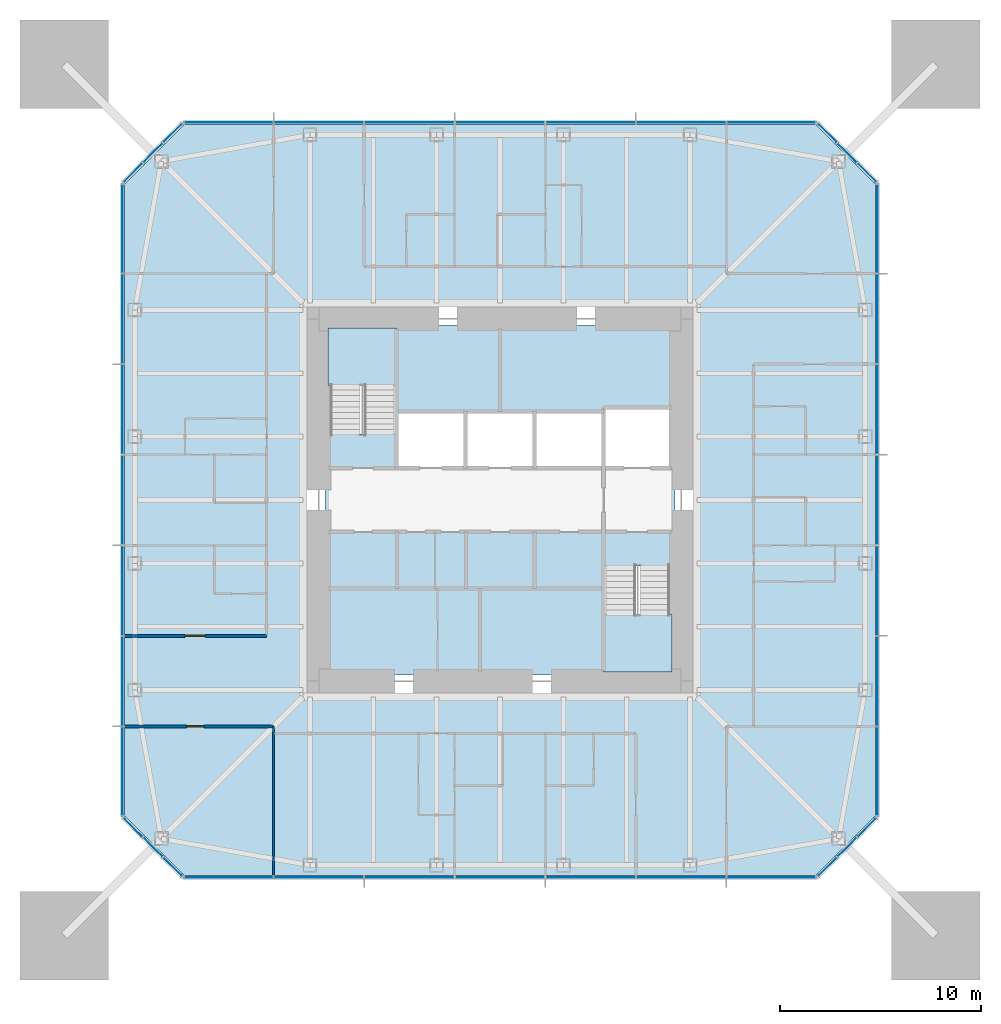
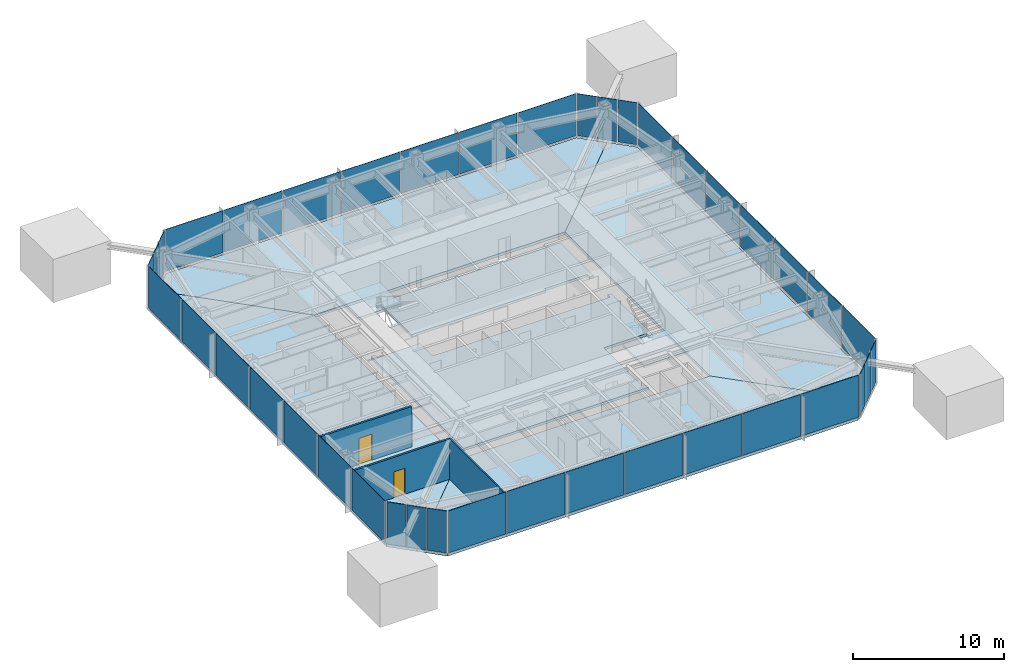
# One storey, part 5 of 11: 40 plates, 8 slabs, 3 walls, 2 doors, 2 openings, 10 elements without a shape of their own.
"""IFC4 building model written with IfcOpenShell, lengths in metres."""

from ifc_helpers import new_model, si_unit, direction, frame, frame_2d, origin, origin_2d, place, context, subcontext, project, spatial, polyline, rectangle, outline, extrude, material, layer, layer_set, constituent, constituent_set, type_object, element, fill, aggregate, save


model = new_model("IFC4")

# Units and contexts
model_context = context("Model", 3, precision=1e-05, world=origin(), true_north=direction((0.0, 1.0)))
body_context = subcontext(model_context, "Body", "Model", "MODEL_VIEW")
ifc_project = project(units=[si_unit("LENGTHUNIT", "METRE"), si_unit("AREAUNIT", "SQUARE_METRE"), si_unit("VOLUMEUNIT", "CUBIC_METRE"), si_unit("PLANEANGLEUNIT", "RADIAN"), si_unit("MASSUNIT", "GRAM", prefix="KILO")], contexts=[model_context])

# Site, building, storey
site_placement = place(None, origin())
site = spatial("IfcSite", under=ifc_project, at=site_placement, CompositionType="ELEMENT")
building_placement = place(site_placement, origin())
building = spatial("IfcBuilding", under=site, at=building_placement, Name="Iwan Alto Co-Living Towers", CompositionType="ELEMENT")
storey_placement = place(building_placement, frame((0.0, 0.0, 163.5)))
storey = spatial("IfcBuildingStorey", under=building, at=storey_placement, Name="L44", CompositionType="ELEMENT", Elevation=163.5)

# Slabs
ifc_material_1 = material(Name="Concrete f'c 30 MPa", Category="concrete")
ifc_layer_1 = layer(ifc_material_1, 0.199951171875)
ifc_layer_set_1 = layer_set([ifc_layer_1], Name="CORE FLOOR SLAB 200")
slab_type_1 = type_object("IfcSlabType", Name="CORE FLOOR SLAB 200", PredefinedType="FLOOR", material=ifc_layer_set_1)
slab_1_placement = place(storey_placement, frame((0.0, 0.0, -0.199951171875)))
element("IfcSlab", 1, at=slab_1_placement, inside=storey, type_object=slab_type_1, Name="T1 core floor L44", PredefinedType="FLOOR", context=body_context, shape_type="SweptSolid", body=[
    extrude(outline(polyline([(5.14990234375, -8.39990234375), (5.4599609375, -8.39990234375), (5.4599609375, -8.699951171875), (-8.699951171875, -8.699951171875), (-8.699951171875, 3.580078125), (-8.39990234375, 3.580078125), (-8.39990234375, 3.27001953125), (-5.14990234375, 3.27001953125), (-5.14990234375, 1.60009765625), (-1.717041015625, 1.60009765625), (1.717041015625, 1.60009765625), (5.14990234375, 1.60009765625), (8.39990234375, 1.60009765625), (8.39990234375, 1.909912109375), (8.699951171875, 1.909912109375), (8.699951171875, -3.580078125), (8.39990234375, -3.580078125), (8.39990234375, -3.27001953125), (5.14990234375, -3.27001953125), (5.14990234375, -8.39990234375)])), origin(), (0.0, 0.0, 1.0), 0.199951171875),
])
slab_2_placement = place(storey_placement, frame((0.0, 0.0, -0.199951171875)))
element("IfcSlab", 2, at=slab_2_placement, inside=storey, type_object=slab_type_1, Name="T1 core floor L44", PredefinedType="FLOOR", context=body_context, shape_type="SweptSolid", body=[
    extrude(outline(polyline([(1.717041015625, 4.39990234375), (-1.717041015625, 4.39990234375), (-5.14990234375, 4.39990234375), (-5.14990234375, 8.39990234375), (-5.4599609375, 8.39990234375), (-5.4599609375, 8.699951171875), (8.699951171875, 8.699951171875), (8.699951171875, 4.2900390625), (8.39990234375, 4.2900390625), (8.39990234375, 4.60009765625), (5.14990234375, 4.60009765625), (5.14990234375, 4.39990234375), (1.717041015625, 4.39990234375)])), origin(), (0.0, 0.0, 1.0), 0.199951171875),
])

# Curtain wall, plates
ifc_material_2 = material(Name="Bronze aluminium unitised frame", Category="aluminium")
curtain_wall_type_1 = type_object("IfcCurtainWallType", Name="CURTAIN WALL CW-A", PredefinedType="NOTDEFINED", material=ifc_material_2)
curtain_wall_1_placement = place(storey_placement, origin())
curtain_wall_1 = element("IfcCurtainWall", 3, at=curtain_wall_1_placement, inside=storey, type_object=curtain_wall_type_1, Name="T1 curtain wall S L44", PredefinedType="NOTDEFINED")
ifc_material_3 = material(Name="Bronze-tinted insulating glass", Category="glass")
ifc_layer_2 = layer(ifc_material_3, 0.031982421875)
ifc_layer_set_2 = layer_set([ifc_layer_2], Name="CW-A PANEL TINTED IGU 32")
plate_type_1 = type_object("IfcPlateType", Name="CW-A PANEL TINTED IGU 32", PredefinedType="CURTAIN_PANEL", material=ifc_layer_set_2)
plate_1_placement = place(storey_placement, frame((-13.47998046875, -18.75, 0.10009765625), z_axis=(0.0, 0.0, 1.0), x_axis=(1.0, 0.0, 0.0)))
plate_1 = element("IfcPlate", 4, at=plate_1_placement, type_object=plate_type_1, Name="CW-A panel 1.1", PredefinedType="CURTAIN_PANEL", context=body_context, shape_type="SweptSolid", body=[
    extrude(rectangle(XDim=4.3798828125, YDim=0.031982421875, at=origin_2d()), origin(), (0.0, 0.0, 1.0), 3.39990234375),
])
plate_2_placement = place(storey_placement, frame((-9.0, -18.75, 0.10009765625), z_axis=(0.0, 0.0, 1.0), x_axis=(1.0, 0.0, 0.0)))
plate_2 = element("IfcPlate", 5, at=plate_2_placement, type_object=plate_type_1, Name="CW-A panel 2.1", PredefinedType="CURTAIN_PANEL", context=body_context, shape_type="SweptSolid", body=[
    extrude(rectangle(XDim=4.419921875, YDim=0.031982421875, at=origin_2d()), origin(), (0.0, 0.0, 1.0), 3.39990234375),
])
plate_3_placement = place(storey_placement, frame((-4.5, -18.75, 0.10009765625), z_axis=(0.0, 0.0, 1.0), x_axis=(1.0, 0.0, 0.0)))
plate_3 = element("IfcPlate", 6, at=plate_3_placement, type_object=plate_type_1, Name="CW-A panel 3.1", PredefinedType="CURTAIN_PANEL", context=body_context, shape_type="SweptSolid", body=[
    extrude(rectangle(XDim=4.419921875, YDim=0.031982421875, at=origin_2d()), origin(), (0.0, 0.0, 1.0), 3.39990234375),
])
plate_4_placement = place(storey_placement, frame((0.0, -18.75, 0.10009765625), z_axis=(0.0, 0.0, 1.0), x_axis=(1.0, 0.0, 0.0)))
plate_4 = element("IfcPlate", 7, at=plate_4_placement, type_object=plate_type_1, Name="CW-A panel 4.1", PredefinedType="CURTAIN_PANEL", context=body_context, shape_type="SweptSolid", body=[
    extrude(rectangle(XDim=4.419921875, YDim=0.031982421875, at=origin_2d()), origin(), (0.0, 0.0, 1.0), 3.39990234375),
])
plate_5_placement = place(storey_placement, frame((4.5, -18.75, 0.10009765625), z_axis=(0.0, 0.0, 1.0), x_axis=(1.0, 0.0, 0.0)))
plate_5 = element("IfcPlate", 8, at=plate_5_placement, type_object=plate_type_1, Name="CW-A panel 5.1", PredefinedType="CURTAIN_PANEL", context=body_context, shape_type="SweptSolid", body=[
    extrude(rectangle(XDim=4.419921875, YDim=0.031982421875, at=origin_2d()), origin(), (0.0, 0.0, 1.0), 3.39990234375),
])
plate_6_placement = place(storey_placement, frame((9.0, -18.75, 0.10009765625), z_axis=(0.0, 0.0, 1.0), x_axis=(1.0, 0.0, 0.0)))
plate_6 = element("IfcPlate", 9, at=plate_6_placement, type_object=plate_type_1, Name="CW-A panel 6.1", PredefinedType="CURTAIN_PANEL", context=body_context, shape_type="SweptSolid", body=[
    extrude(rectangle(XDim=4.419921875, YDim=0.031982421875, at=origin_2d()), origin(), (0.0, 0.0, 1.0), 3.39990234375),
])
plate_7_placement = place(storey_placement, frame((13.47998046875, -18.75, 0.10009765625), z_axis=(0.0, 0.0, 1.0), x_axis=(1.0, 0.0, 0.0)))
plate_7 = element("IfcPlate", 10, at=plate_7_placement, type_object=plate_type_1, Name="CW-A panel 7.1", PredefinedType="CURTAIN_PANEL", context=body_context, shape_type="SweptSolid", body=[
    extrude(rectangle(XDim=4.3798828125, YDim=0.031982421875, at=origin_2d()), origin(), (0.0, 0.0, 1.0), 3.39990234375),
])
aggregate(curtain_wall_1, [plate_1, plate_2, plate_3, plate_4, plate_5, plate_6, plate_7])

curtain_wall_2_placement = place(storey_placement, origin())
curtain_wall_2 = element("IfcCurtainWall", 11, at=curtain_wall_2_placement, inside=storey, type_object=curtain_wall_type_1, Name="T1 curtain wall E L44", PredefinedType="NOTDEFINED")
plate_8_placement = place(storey_placement, frame((18.75, -13.47998046875, 0.10009765625), z_axis=(0.0, 0.0, 1.0), x_axis=(0.0, 1.0, 0.0)))
plate_8 = element("IfcPlate", 12, at=plate_8_placement, type_object=plate_type_1, Name="CW-A panel 1.1", PredefinedType="CURTAIN_PANEL", context=body_context, shape_type="SweptSolid", body=[
    extrude(rectangle(XDim=4.3798828125, YDim=0.031982421875, at=origin_2d()), origin(), (0.0, 0.0, 1.0), 3.39990234375),
])
plate_9_placement = place(storey_placement, frame((18.75, -9.0, 0.10009765625), z_axis=(0.0, 0.0, 1.0), x_axis=(0.0, 1.0, 0.0)))
plate_9 = element("IfcPlate", 13, at=plate_9_placement, type_object=plate_type_1, Name="CW-A panel 2.1", PredefinedType="CURTAIN_PANEL", context=body_context, shape_type="SweptSolid", body=[
    extrude(rectangle(XDim=4.419921875, YDim=0.031982421875, at=origin_2d()), origin(), (0.0, 0.0, 1.0), 3.39990234375),
])
plate_10_placement = place(storey_placement, frame((18.75, -4.5, 0.10009765625), z_axis=(0.0, 0.0, 1.0), x_axis=(0.0, 1.0, 0.0)))
plate_10 = element("IfcPlate", 14, at=plate_10_placement, type_object=plate_type_1, Name="CW-A panel 3.1", PredefinedType="CURTAIN_PANEL", context=body_context, shape_type="SweptSolid", body=[
    extrude(rectangle(XDim=4.419921875, YDim=0.031982421875, at=origin_2d()), origin(), (0.0, 0.0, 1.0), 3.39990234375),
])
plate_11_placement = place(storey_placement, frame((18.75, 0.0, 0.10009765625), z_axis=(0.0, 0.0, 1.0), x_axis=(0.0, 1.0, 0.0)))
plate_11 = element("IfcPlate", 15, at=plate_11_placement, type_object=plate_type_1, Name="CW-A panel 4.1", PredefinedType="CURTAIN_PANEL", context=body_context, shape_type="SweptSolid", body=[
    extrude(rectangle(XDim=4.419921875, YDim=0.031982421875, at=origin_2d()), origin(), (0.0, 0.0, 1.0), 3.39990234375),
])
plate_12_placement = place(storey_placement, frame((18.75, 4.5, 0.10009765625), z_axis=(0.0, 0.0, 1.0), x_axis=(0.0, 1.0, 0.0)))
plate_12 = element("IfcPlate", 16, at=plate_12_placement, type_object=plate_type_1, Name="CW-A panel 5.1", PredefinedType="CURTAIN_PANEL", context=body_context, shape_type="SweptSolid", body=[
    extrude(rectangle(XDim=4.419921875, YDim=0.031982421875, at=origin_2d()), origin(), (0.0, 0.0, 1.0), 3.39990234375),
])
plate_13_placement = place(storey_placement, frame((18.75, 9.0, 0.10009765625), z_axis=(0.0, 0.0, 1.0), x_axis=(0.0, 1.0, 0.0)))
plate_13 = element("IfcPlate", 17, at=plate_13_placement, type_object=plate_type_1, Name="CW-A panel 6.1", PredefinedType="CURTAIN_PANEL", context=body_context, shape_type="SweptSolid", body=[
    extrude(rectangle(XDim=4.419921875, YDim=0.031982421875, at=origin_2d()), origin(), (0.0, 0.0, 1.0), 3.39990234375),
])
plate_14_placement = place(storey_placement, frame((18.75, 13.47998046875, 0.10009765625), z_axis=(0.0, 0.0, 1.0), x_axis=(0.0, 1.0, 0.0)))
plate_14 = element("IfcPlate", 18, at=plate_14_placement, type_object=plate_type_1, Name="CW-A panel 7.1", PredefinedType="CURTAIN_PANEL", context=body_context, shape_type="SweptSolid", body=[
    extrude(rectangle(XDim=4.3798828125, YDim=0.031982421875, at=origin_2d()), origin(), (0.0, 0.0, 1.0), 3.39990234375),
])
aggregate(curtain_wall_2, [plate_8, plate_9, plate_10, plate_11, plate_12, plate_13, plate_14])

curtain_wall_3_placement = place(storey_placement, origin())
curtain_wall_3 = element("IfcCurtainWall", 19, at=curtain_wall_3_placement, inside=storey, type_object=curtain_wall_type_1, Name="T1 curtain wall N L44", PredefinedType="NOTDEFINED")
plate_15_placement = place(storey_placement, frame((13.47998046875, 18.75, 0.10009765625), z_axis=(0.0, 0.0, 1.0), x_axis=(-1.0, 0.0, 0.0)))
plate_15 = element("IfcPlate", 20, at=plate_15_placement, type_object=plate_type_1, Name="CW-A panel 1.1", PredefinedType="CURTAIN_PANEL", context=body_context, shape_type="SweptSolid", body=[
    extrude(rectangle(XDim=4.3798828125, YDim=0.031982421875, at=origin_2d()), origin(), (0.0, 0.0, 1.0), 3.39990234375),
])
plate_16_placement = place(storey_placement, frame((9.0, 18.75, 0.10009765625), z_axis=(0.0, 0.0, 1.0), x_axis=(-1.0, 0.0, 0.0)))
plate_16 = element("IfcPlate", 21, at=plate_16_placement, type_object=plate_type_1, Name="CW-A panel 2.1", PredefinedType="CURTAIN_PANEL", context=body_context, shape_type="SweptSolid", body=[
    extrude(rectangle(XDim=4.419921875, YDim=0.031982421875, at=origin_2d()), origin(), (0.0, 0.0, 1.0), 3.39990234375),
])
plate_17_placement = place(storey_placement, frame((4.5, 18.75, 0.10009765625), z_axis=(0.0, 0.0, 1.0), x_axis=(-1.0, 0.0, 0.0)))
plate_17 = element("IfcPlate", 22, at=plate_17_placement, type_object=plate_type_1, Name="CW-A panel 3.1", PredefinedType="CURTAIN_PANEL", context=body_context, shape_type="SweptSolid", body=[
    extrude(rectangle(XDim=4.419921875, YDim=0.031982421875, at=origin_2d()), origin(), (0.0, 0.0, 1.0), 3.39990234375),
])
plate_18_placement = place(storey_placement, frame((0.0, 18.75, 0.10009765625), z_axis=(0.0, 0.0, 1.0), x_axis=(-1.0, 0.0, 0.0)))
plate_18 = element("IfcPlate", 23, at=plate_18_placement, type_object=plate_type_1, Name="CW-A panel 4.1", PredefinedType="CURTAIN_PANEL", context=body_context, shape_type="SweptSolid", body=[
    extrude(rectangle(XDim=4.419921875, YDim=0.031982421875, at=origin_2d()), origin(), (0.0, 0.0, 1.0), 3.39990234375),
])
plate_19_placement = place(storey_placement, frame((-4.5, 18.75, 0.10009765625), z_axis=(0.0, 0.0, 1.0), x_axis=(-1.0, 0.0, 0.0)))
plate_19 = element("IfcPlate", 24, at=plate_19_placement, type_object=plate_type_1, Name="CW-A panel 5.1", PredefinedType="CURTAIN_PANEL", context=body_context, shape_type="SweptSolid", body=[
    extrude(rectangle(XDim=4.419921875, YDim=0.031982421875, at=origin_2d()), origin(), (0.0, 0.0, 1.0), 3.39990234375),
])
plate_20_placement = place(storey_placement, frame((-9.0, 18.75, 0.10009765625), z_axis=(0.0, 0.0, 1.0), x_axis=(-1.0, 0.0, 0.0)))
plate_20 = element("IfcPlate", 25, at=plate_20_placement, type_object=plate_type_1, Name="CW-A panel 6.1", PredefinedType="CURTAIN_PANEL", context=body_context, shape_type="SweptSolid", body=[
    extrude(rectangle(XDim=4.419921875, YDim=0.031982421875, at=origin_2d()), origin(), (0.0, 0.0, 1.0), 3.39990234375),
])
plate_21_placement = place(storey_placement, frame((-13.47998046875, 18.75, 0.10009765625), z_axis=(0.0, 0.0, 1.0), x_axis=(-1.0, 0.0, 0.0)))
plate_21 = element("IfcPlate", 26, at=plate_21_placement, type_object=plate_type_1, Name="CW-A panel 7.1", PredefinedType="CURTAIN_PANEL", context=body_context, shape_type="SweptSolid", body=[
    extrude(rectangle(XDim=4.3798828125, YDim=0.031982421875, at=origin_2d()), origin(), (0.0, 0.0, 1.0), 3.39990234375),
])
aggregate(curtain_wall_3, [plate_15, plate_16, plate_17, plate_18, plate_19, plate_20, plate_21])

curtain_wall_4_placement = place(storey_placement, origin())
curtain_wall_4 = element("IfcCurtainWall", 27, at=curtain_wall_4_placement, inside=storey, type_object=curtain_wall_type_1, Name="T1 curtain wall W L44", PredefinedType="NOTDEFINED")
plate_22_placement = place(storey_placement, frame((-18.75, 13.47998046875, 0.10009765625), z_axis=(0.0, 0.0, 1.0), x_axis=(0.0, -1.0, 0.0)))
plate_22 = element("IfcPlate", 28, at=plate_22_placement, type_object=plate_type_1, Name="CW-A panel 1.1", PredefinedType="CURTAIN_PANEL", context=body_context, shape_type="SweptSolid", body=[
    extrude(rectangle(XDim=4.3798828125, YDim=0.031982421875, at=origin_2d()), origin(), (0.0, 0.0, 1.0), 3.39990234375),
])
plate_23_placement = place(storey_placement, frame((-18.75, 9.0, 0.10009765625), z_axis=(0.0, 0.0, 1.0), x_axis=(0.0, -1.0, 0.0)))
plate_23 = element("IfcPlate", 29, at=plate_23_placement, type_object=plate_type_1, Name="CW-A panel 2.1", PredefinedType="CURTAIN_PANEL", context=body_context, shape_type="SweptSolid", body=[
    extrude(rectangle(XDim=4.419921875, YDim=0.031982421875, at=origin_2d()), origin(), (0.0, 0.0, 1.0), 3.39990234375),
])
plate_24_placement = place(storey_placement, frame((-18.75, 4.5, 0.10009765625), z_axis=(0.0, 0.0, 1.0), x_axis=(0.0, -1.0, 0.0)))
plate_24 = element("IfcPlate", 30, at=plate_24_placement, type_object=plate_type_1, Name="CW-A panel 3.1", PredefinedType="CURTAIN_PANEL", context=body_context, shape_type="SweptSolid", body=[
    extrude(rectangle(XDim=4.419921875, YDim=0.031982421875, at=origin_2d()), origin(), (0.0, 0.0, 1.0), 3.39990234375),
])
plate_25_placement = place(storey_placement, frame((-18.75, 0.0, 0.10009765625), z_axis=(0.0, 0.0, 1.0), x_axis=(0.0, -1.0, 0.0)))
plate_25 = element("IfcPlate", 31, at=plate_25_placement, type_object=plate_type_1, Name="CW-A panel 4.1", PredefinedType="CURTAIN_PANEL", context=body_context, shape_type="SweptSolid", body=[
    extrude(rectangle(XDim=4.419921875, YDim=0.031982421875, at=origin_2d()), origin(), (0.0, 0.0, 1.0), 3.39990234375),
])
plate_26_placement = place(storey_placement, frame((-18.75, -4.5, 0.10009765625), z_axis=(0.0, 0.0, 1.0), x_axis=(0.0, -1.0, 0.0)))
plate_26 = element("IfcPlate", 32, at=plate_26_placement, type_object=plate_type_1, Name="CW-A panel 5.1", PredefinedType="CURTAIN_PANEL", context=body_context, shape_type="SweptSolid", body=[
    extrude(rectangle(XDim=4.419921875, YDim=0.031982421875, at=origin_2d()), origin(), (0.0, 0.0, 1.0), 3.39990234375),
])
plate_27_placement = place(storey_placement, frame((-18.75, -9.0, 0.10009765625), z_axis=(0.0, 0.0, 1.0), x_axis=(0.0, -1.0, 0.0)))
plate_27 = element("IfcPlate", 33, at=plate_27_placement, type_object=plate_type_1, Name="CW-A panel 6.1", PredefinedType="CURTAIN_PANEL", context=body_context, shape_type="SweptSolid", body=[
    extrude(rectangle(XDim=4.419921875, YDim=0.031982421875, at=origin_2d()), origin(), (0.0, 0.0, 1.0), 3.39990234375),
])
plate_28_placement = place(storey_placement, frame((-18.75, -13.47998046875, 0.10009765625), z_axis=(0.0, 0.0, 1.0), x_axis=(0.0, -1.0, 0.0)))
plate_28 = element("IfcPlate", 34, at=plate_28_placement, type_object=plate_type_1, Name="CW-A panel 7.1", PredefinedType="CURTAIN_PANEL", context=body_context, shape_type="SweptSolid", body=[
    extrude(rectangle(XDim=4.3798828125, YDim=0.031982421875, at=origin_2d()), origin(), (0.0, 0.0, 1.0), 3.39990234375),
])
aggregate(curtain_wall_4, [plate_22, plate_23, plate_24, plate_25, plate_26, plate_27, plate_28])

ifc_material_4 = material(Name="Bronze aluminium unitised frame", Category="aluminium")
curtain_wall_type_2 = type_object("IfcCurtainWallType", Name="CURTAIN WALL CW-B", PredefinedType="NOTDEFINED", material=ifc_material_4)
curtain_wall_5_placement = place(storey_placement, origin())
curtain_wall_5 = element("IfcCurtainWall", 35, at=curtain_wall_5_placement, inside=storey, type_object=curtain_wall_type_2, Name="T1 chamfer curtain wall SE L44", PredefinedType="NOTDEFINED")
ifc_material_5 = material(Name="Bronze-tinted insulating glass", Category="glass")
ifc_layer_3 = layer(ifc_material_5, 0.031982421875)
ifc_layer_set_3 = layer_set([ifc_layer_3], Name="CW-B PANEL TINTED IGU 32")
plate_type_2 = type_object("IfcPlateType", Name="CW-B PANEL TINTED IGU 32", PredefinedType="CURTAIN_PANEL", material=ifc_layer_set_3)
plate_29_placement = place(storey_placement, frame((16.26416015625, -18.23583984375, 0.10009765625), z_axis=(0.0, 0.0, 1.0), x_axis=(0.707106781187, 0.707106781187, 0.0)))
plate_29 = element("IfcPlate", 36, at=plate_29_placement, type_object=plate_type_2, Name="CW-B panel 1.1", PredefinedType="CURTAIN_PANEL", context=body_context, shape_type="SweptSolid", body=[
    extrude(rectangle(XDim=1.294189453125, YDim=0.031982421875, at=origin_2d()), origin(), (0.0, 0.0, 1.0), 3.39990234375),
])
plate_30_placement = place(storey_placement, frame((17.25, -17.25, 0.10009765625), z_axis=(0.0, 0.0, 1.0), x_axis=(0.707106781187, 0.707106781187, 0.0)))
plate_30 = element("IfcPlate", 37, at=plate_30_placement, type_object=plate_type_2, Name="CW-B panel 2.1", PredefinedType="CURTAIN_PANEL", context=body_context, shape_type="SweptSolid", body=[
    extrude(rectangle(XDim=1.334228515625, YDim=0.031982421875, at=origin_2d()), origin(), (0.0, 0.0, 1.0), 3.39990234375),
])
plate_31_placement = place(storey_placement, frame((18.23583984375, -16.26416015625, 0.10009765625), z_axis=(0.0, 0.0, 1.0), x_axis=(0.707106781187, 0.707106781187, 0.0)))
plate_31 = element("IfcPlate", 38, at=plate_31_placement, type_object=plate_type_2, Name="CW-B panel 3.1", PredefinedType="CURTAIN_PANEL", context=body_context, shape_type="SweptSolid", body=[
    extrude(rectangle(XDim=1.294189453125, YDim=0.031982421875, at=origin_2d()), origin(), (0.0, 0.0, 1.0), 3.39990234375),
])
aggregate(curtain_wall_5, [plate_29, plate_30, plate_31])

curtain_wall_6_placement = place(storey_placement, origin())
curtain_wall_6 = element("IfcCurtainWall", 39, at=curtain_wall_6_placement, inside=storey, type_object=curtain_wall_type_2, Name="T1 chamfer curtain wall NE L44", PredefinedType="NOTDEFINED")
plate_32_placement = place(storey_placement, frame((18.23583984375, 16.26416015625, 0.10009765625), z_axis=(0.0, 0.0, 1.0), x_axis=(-0.707106781187, 0.707106781187, 0.0)))
plate_32 = element("IfcPlate", 40, at=plate_32_placement, type_object=plate_type_2, Name="CW-B panel 1.1", PredefinedType="CURTAIN_PANEL", context=body_context, shape_type="SweptSolid", body=[
    extrude(rectangle(XDim=1.294189453125, YDim=0.031982421875, at=origin_2d()), origin(), (0.0, 0.0, 1.0), 3.39990234375),
])
plate_33_placement = place(storey_placement, frame((17.25, 17.25, 0.10009765625), z_axis=(0.0, 0.0, 1.0), x_axis=(-0.707106781187, 0.707106781187, 0.0)))
plate_33 = element("IfcPlate", 41, at=plate_33_placement, type_object=plate_type_2, Name="CW-B panel 2.1", PredefinedType="CURTAIN_PANEL", context=body_context, shape_type="SweptSolid", body=[
    extrude(rectangle(XDim=1.334228515625, YDim=0.031982421875, at=origin_2d()), origin(), (0.0, 0.0, 1.0), 3.39990234375),
])
plate_34_placement = place(storey_placement, frame((16.26416015625, 18.23583984375, 0.10009765625), z_axis=(0.0, 0.0, 1.0), x_axis=(-0.707106781187, 0.707106781187, 0.0)))
plate_34 = element("IfcPlate", 42, at=plate_34_placement, type_object=plate_type_2, Name="CW-B panel 3.1", PredefinedType="CURTAIN_PANEL", context=body_context, shape_type="SweptSolid", body=[
    extrude(rectangle(XDim=1.294189453125, YDim=0.031982421875, at=origin_2d()), origin(), (0.0, 0.0, 1.0), 3.39990234375),
])
aggregate(curtain_wall_6, [plate_32, plate_33, plate_34])

curtain_wall_7_placement = place(storey_placement, origin())
curtain_wall_7 = element("IfcCurtainWall", 43, at=curtain_wall_7_placement, inside=storey, type_object=curtain_wall_type_2, Name="T1 chamfer curtain wall NW L44", PredefinedType="NOTDEFINED")
plate_35_placement = place(storey_placement, frame((-16.26416015625, 18.23583984375, 0.10009765625), z_axis=(0.0, 0.0, 1.0), x_axis=(-0.707106781187, -0.707106781187, 0.0)))
plate_35 = element("IfcPlate", 44, at=plate_35_placement, type_object=plate_type_2, Name="CW-B panel 1.1", PredefinedType="CURTAIN_PANEL", context=body_context, shape_type="SweptSolid", body=[
    extrude(rectangle(XDim=1.294189453125, YDim=0.031982421875, at=origin_2d()), origin(), (0.0, 0.0, 1.0), 3.39990234375),
])
plate_36_placement = place(storey_placement, frame((-17.25, 17.25, 0.10009765625), z_axis=(0.0, 0.0, 1.0), x_axis=(-0.707106781187, -0.707106781187, 0.0)))
plate_36 = element("IfcPlate", 45, at=plate_36_placement, type_object=plate_type_2, Name="CW-B panel 2.1", PredefinedType="CURTAIN_PANEL", context=body_context, shape_type="SweptSolid", body=[
    extrude(rectangle(XDim=1.334228515625, YDim=0.031982421875, at=origin_2d()), origin(), (0.0, 0.0, 1.0), 3.39990234375),
])
plate_37_placement = place(storey_placement, frame((-18.23583984375, 16.26416015625, 0.10009765625), z_axis=(0.0, 0.0, 1.0), x_axis=(-0.707106781187, -0.707106781187, 0.0)))
plate_37 = element("IfcPlate", 46, at=plate_37_placement, type_object=plate_type_2, Name="CW-B panel 3.1", PredefinedType="CURTAIN_PANEL", context=body_context, shape_type="SweptSolid", body=[
    extrude(rectangle(XDim=1.294189453125, YDim=0.031982421875, at=origin_2d()), origin(), (0.0, 0.0, 1.0), 3.39990234375),
])
aggregate(curtain_wall_7, [plate_35, plate_36, plate_37])

curtain_wall_8_placement = place(storey_placement, origin())
curtain_wall_8 = element("IfcCurtainWall", 47, at=curtain_wall_8_placement, inside=storey, type_object=curtain_wall_type_2, Name="T1 chamfer curtain wall SW L44", PredefinedType="NOTDEFINED")
plate_38_placement = place(storey_placement, frame((-18.23583984375, -16.26416015625, 0.10009765625), z_axis=(0.0, 0.0, 1.0), x_axis=(0.707106781187, -0.707106781187, 0.0)))
plate_38 = element("IfcPlate", 48, at=plate_38_placement, type_object=plate_type_2, Name="CW-B panel 1.1", PredefinedType="CURTAIN_PANEL", context=body_context, shape_type="SweptSolid", body=[
    extrude(rectangle(XDim=1.294189453125, YDim=0.031982421875, at=origin_2d()), origin(), (0.0, 0.0, 1.0), 3.39990234375),
])
plate_39_placement = place(storey_placement, frame((-17.25, -17.25, 0.10009765625), z_axis=(0.0, 0.0, 1.0), x_axis=(0.707106781187, -0.707106781187, 0.0)))
plate_39 = element("IfcPlate", 49, at=plate_39_placement, type_object=plate_type_2, Name="CW-B panel 2.1", PredefinedType="CURTAIN_PANEL", context=body_context, shape_type="SweptSolid", body=[
    extrude(rectangle(XDim=1.334228515625, YDim=0.031982421875, at=origin_2d()), origin(), (0.0, 0.0, 1.0), 3.39990234375),
])
plate_40_placement = place(storey_placement, frame((-16.26416015625, -18.23583984375, 0.10009765625), z_axis=(0.0, 0.0, 1.0), x_axis=(0.707106781187, -0.707106781187, 0.0)))
plate_40 = element("IfcPlate", 50, at=plate_40_placement, type_object=plate_type_2, Name="CW-B panel 3.1", PredefinedType="CURTAIN_PANEL", context=body_context, shape_type="SweptSolid", body=[
    extrude(rectangle(XDim=1.294189453125, YDim=0.031982421875, at=origin_2d()), origin(), (0.0, 0.0, 1.0), 3.39990234375),
])
aggregate(curtain_wall_8, [plate_38, plate_39, plate_40])

# Stair, slab
ifc_material_6 = material(Name="Steel ASTM A36", Category="steel")
ifc_constituent_1 = constituent(ifc_material_6, Name="Stringers", Category="LoadBearing")
ifc_material_7 = material(Name="Concrete f'c 30 MPa", Category="concrete")
ifc_constituent_2 = constituent(ifc_material_7, Name="Tread fill", Category="Finish")
ifc_constituent_set = constituent_set(constituents=[ifc_constituent_1, ifc_constituent_2], Name="STAIR 3500 TWO-FLIGHT T1 CORE")
stair_type = type_object("IfcStairType", Name="STAIR 3500 TWO-FLIGHT T1 CORE", PredefinedType="HALF_TURN_STAIR", material=ifc_constituent_set)
stair_1_placement = place(storey_placement, origin())
stair_1 = element("IfcStair", 51, at=stair_1_placement, inside=storey, type_object=stair_type, Name="Stair T1-S1 L44 to L45", PredefinedType="HALF_TURN_STAIR")
ifc_material_8 = material(Name="Concrete f'c 30 MPa", Category="concrete")
ifc_layer_4 = layer(ifc_material_8, 0.199951171875)
ifc_layer_set_4 = layer_set([ifc_layer_4], Name="STAIR LANDING 200")
slab_type_2 = type_object("IfcSlabType", Name="STAIR LANDING 200", PredefinedType="LANDING", material=ifc_layer_set_4)
slab_3_placement = place(storey_placement, frame((0.0, 0.0, 1.550048828125)))
slab_3 = element("IfcSlab", 52, at=slab_3_placement, type_object=slab_type_2, Name="T1-S1 landing 1", PredefinedType="LANDING", context=body_context, shape_type="SweptSolid", body=[
    extrude(outline(polyline([(-8.550048828125, 5.68994140625), (-8.550048828125, 8.550048828125), (-5.14990234375, 8.550048828125), (-5.14990234375, 5.68994140625), (-8.550048828125, 5.68994140625)])), origin(), (0.0, 0.0, 1.0), 0.199951171875),
])
aggregate(stair_1, [slab_3])

stair_2_placement = place(storey_placement, origin())
stair_2 = element("IfcStair", 53, at=stair_2_placement, inside=storey, type_object=stair_type, Name="Stair T1-S2 L44 to L45", PredefinedType="HALF_TURN_STAIR")
slab_4_placement = place(storey_placement, frame((0.0, 0.0, 1.550048828125)))
slab_4 = element("IfcSlab", 54, at=slab_4_placement, type_object=slab_type_2, Name="T1-S2 landing 1", PredefinedType="LANDING", context=body_context, shape_type="SweptSolid", body=[
    extrude(outline(polyline([(5.14990234375, -5.68994140625), (5.14990234375, -8.550048828125), (8.550048828125, -8.550048828125), (8.550048828125, -5.68994140625), (5.14990234375, -5.68994140625)])), origin(), (0.0, 0.0, 1.0), 0.199951171875),
])
aggregate(stair_2, [slab_4])

# Slabs
ifc_material_9 = material(Name="Concrete f'c 30 MPa", Category="concrete")
ifc_layer_5 = layer(ifc_material_9, 0.22998046875)
ifc_layer_set_5 = layer_set([ifc_layer_5], Name="T1 FLOOR SLAB 230")
slab_type_3 = type_object("IfcSlabType", Name="T1 FLOOR SLAB 230", PredefinedType="FLOOR", material=ifc_layer_set_5)
slab_5_placement = place(storey_placement, frame((0.0, 0.0, -0.22998046875)))
element("IfcSlab", 55, at=slab_5_placement, inside=storey, type_object=slab_type_3, Name="T1 floor slab L44 S pour", PredefinedType="FLOOR", context=body_context, shape_type="SweptSolid", body=[
    extrude(outline(polyline([(15.69140625, -18.64990234375), (-15.69140625, -18.64990234375), (-17.170654296875, -17.170654296875), (-9.60009765625, -9.60009765625), (9.60009765625, -9.60009765625), (17.170654296875, -17.170654296875), (15.69140625, -18.64990234375)])), origin(), (0.0, 0.0, 1.0), 0.22998046875),
])
slab_6_placement = place(storey_placement, frame((0.0, 0.0, -0.22998046875)))
element("IfcSlab", 56, at=slab_6_placement, inside=storey, type_object=slab_type_3, Name="T1 floor slab L44 E pour", PredefinedType="FLOOR", context=body_context, shape_type="SweptSolid", body=[
    extrude(outline(polyline([(18.64990234375, 15.69140625), (18.64990234375, -15.69140625), (17.170654296875, -17.170654296875), (9.60009765625, -9.60009765625), (9.60009765625, 9.60009765625), (17.170654296875, 17.170654296875), (18.64990234375, 15.69140625)])), origin(), (0.0, 0.0, 1.0), 0.22998046875),
])
slab_7_placement = place(storey_placement, frame((0.0, 0.0, -0.22998046875)))
element("IfcSlab", 57, at=slab_7_placement, inside=storey, type_object=slab_type_3, Name="T1 floor slab L44 N pour", PredefinedType="FLOOR", context=body_context, shape_type="SweptSolid", body=[
    extrude(outline(polyline([(-15.69140625, 18.64990234375), (15.69140625, 18.64990234375), (17.170654296875, 17.170654296875), (9.60009765625, 9.60009765625), (-9.60009765625, 9.60009765625), (-17.170654296875, 17.170654296875), (-15.69140625, 18.64990234375)])), origin(), (0.0, 0.0, 1.0), 0.22998046875),
])
slab_8_placement = place(storey_placement, frame((0.0, 0.0, -0.22998046875)))
element("IfcSlab", 58, at=slab_8_placement, inside=storey, type_object=slab_type_3, Name="T1 floor slab L44 W pour", PredefinedType="FLOOR", context=body_context, shape_type="SweptSolid", body=[
    extrude(outline(polyline([(-18.64990234375, 15.69140625), (-17.170654296875, 17.170654296875), (-9.60009765625, 9.60009765625), (-9.60009765625, -9.60009765625), (-17.170654296875, -17.170654296875), (-18.64990234375, -15.69140625), (-18.64990234375, 15.69140625)])), origin(), (0.0, 0.0, 1.0), 0.22998046875),
])

# Wall, opening, door
ifc_material_10 = material(Name="Gypsum board")
ifc_layer_6 = layer(ifc_material_10, 0.02490234375, Name="Board", Category="Finish")
ifc_material_11 = material(Name="Steel ASTM A1003 ST33H cold-formed studs", Category="steel")
ifc_layer_7 = layer(ifc_material_11, 0.10009765625, Name="Studs", Category="Framing")
ifc_layer_8 = layer(ifc_material_10, 0.02490234375, Name="Board", Category="Finish")
ifc_layer_set_6 = layer_set([ifc_layer_6, ifc_layer_7, ifc_layer_8], Name="CORRIDOR WALL 150")
wall_type_1 = type_object("IfcWallType", Name="CORRIDOR WALL 150", PredefinedType="PARTITIONING", material=ifc_layer_set_6)
wall_1_placement = place(storey_placement, frame((-18.68994140625, -11.25, 0.0), z_axis=(0.0, 0.0, 1.0), x_axis=(1.0, 0.0, 0.0)))
wall_1 = element("IfcWall", 59, at=wall_1_placement, inside=storey, type_object=wall_type_1, Name="Partition L44", PredefinedType="PARTITIONING", context=body_context, shape_type="SweptSolid", body=[
    extrude(rectangle(XDim=7.43994140625, YDim=0.14990234375, at=frame_2d((3.719970703125, 0.0))), origin(), (0.0, 0.0, 1.0), 3.27001953125),
])
opening_1_placement = place(wall_1_placement, frame((3.1201171875, 0.0, 0.0)))
opening_1 = element("IfcOpeningElement", 60, at=opening_1_placement, cuts=wall_1, Name="Opening D2", PredefinedType="OPENING", context=body_context, shape_type="SweptSolid", body=[
    extrude(rectangle(XDim=0.85009765625, YDim=2.10009765625, at=frame_2d((0.425048828125, 1.050048828125))), frame((0.0, 0.0849609375, 0.0), z_axis=(0.0, -1.0, 0.0), x_axis=(1.0, 0.0, 0.0)), (0.0, 0.0, 1.0), 0.169921875),
])
ifc_material_12 = material(Name="Timber leaf in steel frame", Category="steel")
door_type_1 = type_object("IfcDoorType", Name="ROOM DOOR 850X2100", OperationType="SINGLE_SWING_LEFT", PredefinedType="DOOR", material=ifc_material_12)
door_1_placement = place(opening_1_placement, frame((0.85009765625, 0.0, 0.0), z_axis=(0.0, 0.0, 1.0), x_axis=(-1.0, 0.0, 0.0)))
door_1 = element("IfcDoor", 61, at=door_1_placement, inside=storey, type_object=door_type_1, Name="Shared kitchen and lounge door L44", OperationType="SINGLE_SWING_RIGHT", OverallHeight=2.10009765625, OverallWidth=0.85009765625, PredefinedType="DOOR", context=body_context, shape_type="SweptSolid", body=[
    extrude(rectangle(XDim=0.85009765625, YDim=2.10009765625, at=frame_2d((0.425048828125, 1.050048828125))), frame((0.0, 0.02490234375, 0.0), z_axis=(0.0, -1.0, 0.0), x_axis=(1.0, 0.0, 0.0)), (0.0, 0.0, 1.0), 0.050048828125),
])
fill(opening_1, door_1)

wall_2_placement = place(storey_placement, frame((-18.68994140625, -6.75, 0.0), z_axis=(0.0, 0.0, 1.0), x_axis=(1.0, 0.0, 0.0)))
wall_2 = element("IfcWall", 62, at=wall_2_placement, inside=storey, type_object=wall_type_1, Name="Partition L44", PredefinedType="PARTITIONING", context=body_context, shape_type="SweptSolid", body=[
    extrude(rectangle(XDim=7.08984375, YDim=0.14990234375, at=frame_2d((3.544921875, 0.0))), origin(), (0.0, 0.0, 1.0), 3.27001953125),
])
opening_2_placement = place(wall_2_placement, frame((3.044921875, 0.0, 0.0)))
opening_2 = element("IfcOpeningElement", 63, at=opening_2_placement, cuts=wall_2, Name="Opening D3", PredefinedType="OPENING", context=body_context, shape_type="SweptSolid", body=[
    extrude(rectangle(XDim=1.0, YDim=2.10009765625, at=frame_2d((0.5, 1.050048828125))), frame((0.0, 0.0849609375, 0.0), z_axis=(0.0, -1.0, 0.0), x_axis=(1.0, 0.0, 0.0)), (0.0, 0.0, 1.0), 0.169921875),
])
ifc_material_13 = material(Name="Steel frame with timber leaf", Category="steel")
door_type_2 = type_object("IfcDoorType", Name="FLAT ENTRANCE DOOR FD30S 1000X2100", OperationType="SINGLE_SWING_LEFT", PredefinedType="DOOR", material=ifc_material_13)
door_2_placement = place(opening_2_placement, origin())
door_2 = element("IfcDoor", 64, at=door_2_placement, inside=storey, type_object=door_type_2, Name="Studio door L44", OperationType="SINGLE_SWING_RIGHT", OverallHeight=2.10009765625, OverallWidth=1.0, PredefinedType="DOOR", context=body_context, shape_type="SweptSolid", body=[
    extrude(rectangle(XDim=1.0, YDim=2.10009765625, at=frame_2d((0.5, 1.050048828125))), frame((0.0, 0.02490234375, 0.0), z_axis=(0.0, -1.0, 0.0), x_axis=(1.0, 0.0, 0.0)), (0.0, 0.0, 1.0), 0.050048828125),
])
fill(opening_2, door_2)

# Wall
ifc_layer_9 = layer(ifc_material_10, 0.012451171875, Name="Board", Category="Finish")
ifc_layer_10 = layer(ifc_material_11, 0.074951171875, Name="Studs", Category="Framing")
ifc_layer_11 = layer(ifc_material_10, 0.012451171875, Name="Board", Category="Finish")
ifc_layer_set_7 = layer_set([ifc_layer_9, ifc_layer_10, ifc_layer_11], Name="PARTITION 100")
wall_type_2 = type_object("IfcWallType", Name="PARTITION 100", PredefinedType="PARTITIONING", material=ifc_layer_set_7)
wall_3_placement = place(storey_placement, frame((-11.25, -18.68994140625, 0.0), z_axis=(0.0, 0.0, 1.0), x_axis=(0.0, 1.0, 0.0)))
element("IfcWall", 65, at=wall_3_placement, inside=storey, type_object=wall_type_2, Name="Partition L44", PredefinedType="PARTITIONING", context=body_context, shape_type="SweptSolid", body=[
    extrude(rectangle(XDim=7.43994140625, YDim=0.10009765625, at=frame_2d((3.719970703125, 0.0))), origin(), (0.0, 0.0, 1.0), 3.27001953125),
])

save(model, "model.ifc")
